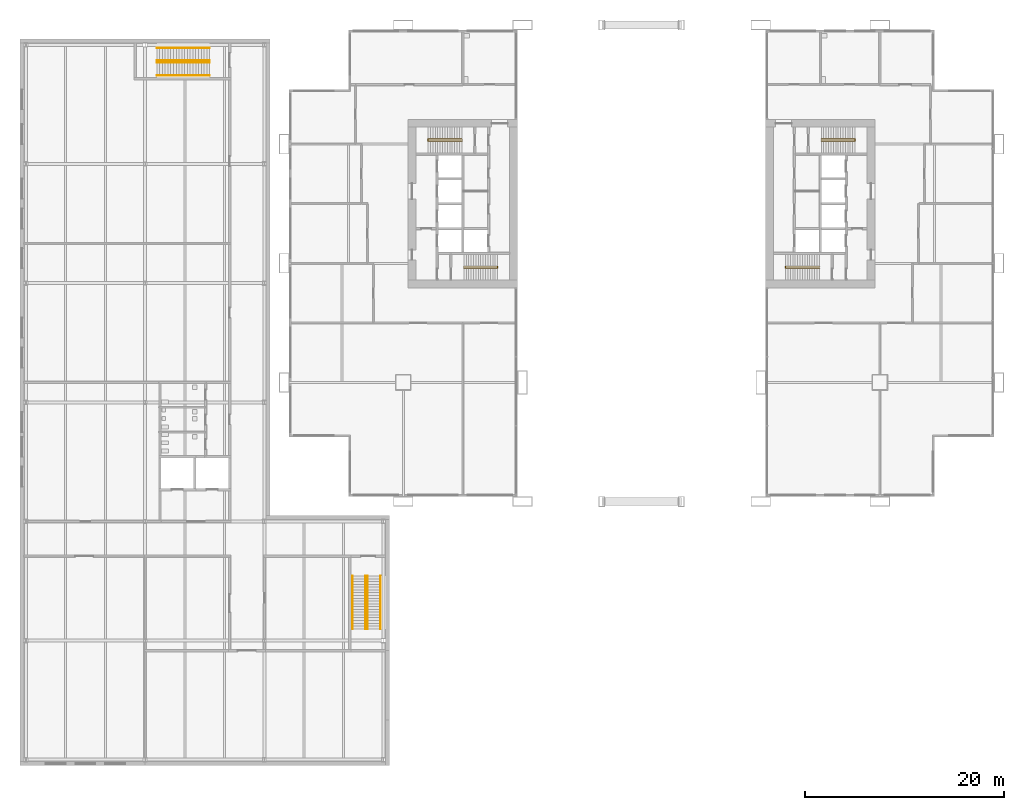
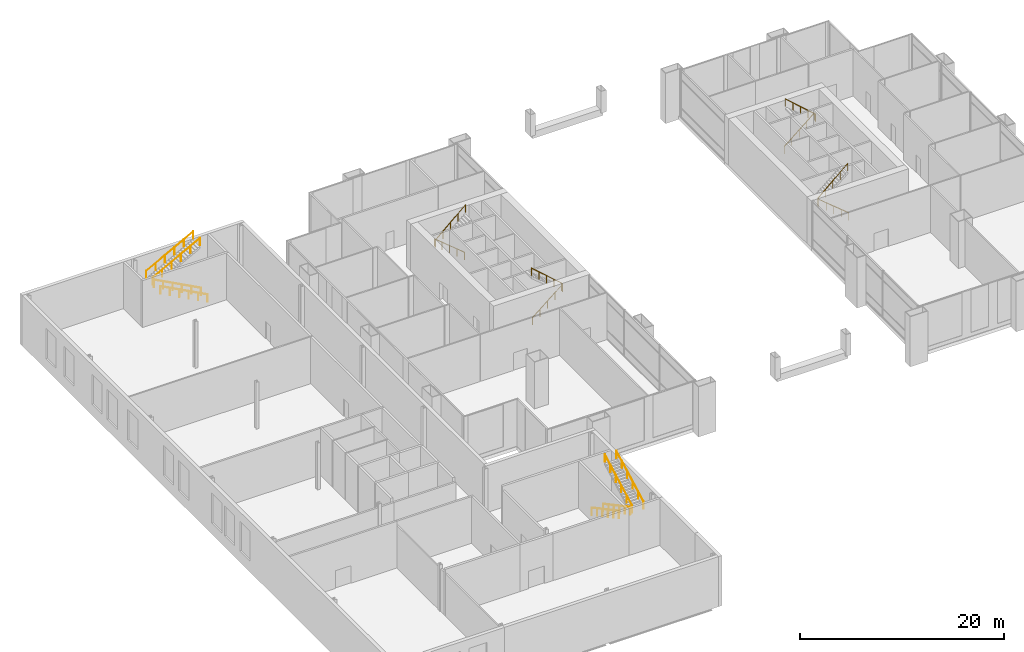
# One storey, part 24 of 25: 12 railings.
"""IFC4 building model written with IfcOpenShell, lengths in metres."""

from ifc_helpers import new_model, si_unit, direction, frame, origin, origin_2d, place, context, subcontext, project, spatial, circle, extrude, material, type_object, element, save


model = new_model("IFC4")

# Units and contexts
model_context = context("Model", 3, precision=1e-05, world=origin(), true_north=direction((0.0, 1.0)))
body_context = subcontext(model_context, "Body", "Model", "MODEL_VIEW")
ifc_project = project(units=[si_unit("LENGTHUNIT", "METRE"), si_unit("AREAUNIT", "SQUARE_METRE"), si_unit("VOLUMEUNIT", "CUBIC_METRE"), si_unit("PLANEANGLEUNIT", "RADIAN"), si_unit("MASSUNIT", "GRAM", prefix="KILO")], contexts=[model_context])

# Site, building, storey
site_placement = place(None, origin())
site = spatial("IfcSite", under=ifc_project, at=site_placement, CompositionType="ELEMENT")
building_placement = place(site_placement, origin())
building = spatial("IfcBuilding", under=site, at=building_placement, Name="Kitamizu Gate Tower and Museum", CompositionType="ELEMENT")
storey_placement = place(building_placement, frame((0.0, 0.0, 18.0)))
storey = spatial("IfcBuildingStorey", under=building, at=storey_placement, Name="L03", CompositionType="ELEMENT", Elevation=18.0)

# Railings
ifc_material_1 = material(Name="Stainless steel SUS304", Category="steel")
railing_type_1 = type_object("IfcRailingType", Name="Museum stair handrail 900", PredefinedType="HANDRAIL", material=ifc_material_1)
for number, where, name in (
    (1, (6.89990234375, -7.5, 0.14990234375), "Handrail stair S"),
    (2, (8.199951171875, -7.5, 0.14990234375), "Handrail stair S"),
):
    element("IfcRailing", number, at=place(storey_placement, frame(where)), inside=storey, type_object=railing_type_1, Name=name, PredefinedType="HANDRAIL", context=body_context, shape_type="SweptSolid", body=[
        extrude(circle(Radius=0.0224609375, at=origin_2d()), frame((0.0, 0.0, 0.87744140625), z_axis=(0.0, -0.881475760486, 0.472229270245), x_axis=(1.0, 0.0, 0.0)), (0.0, 0.0, 1.0), 6.035400390625),
        extrude(circle(Radius=0.01513671875, at=origin_2d()), origin(), (0.0, 0.0, 1.0), 0.85498046875),
        extrude(circle(Radius=0.01513671875, at=origin_2d()), frame((0.0, -1.06396484375, 0.570068359375)), (0.0, 0.0, 1.0), 0.85498046875),
        extrude(circle(Radius=0.01513671875, at=origin_2d()), frame((0.0, -2.1279296875, 1.14013671875)), (0.0, 0.0, 1.0), 0.85498046875),
        extrude(circle(Radius=0.01513671875, at=origin_2d()), frame((0.0, -3.192138671875, 1.7099609375)), (0.0, 0.0, 1.0), 0.85498046875),
        extrude(circle(Radius=0.01513671875, at=origin_2d()), frame((0.0, -4.256103515625, 2.280029296875)), (0.0, 0.0, 1.0), 0.85498046875),
        extrude(circle(Radius=0.01513671875, at=origin_2d()), frame((0.0, -5.320068359375, 2.85009765625)), (0.0, 0.0, 1.0), 0.85498046875),
    ])
for number, where, name in (
    (3, (8.39990234375, -12.820068359375, 3.14990234375), "Handrail stair S"),
    (4, (9.699951171875, -12.820068359375, 3.14990234375), "Handrail stair S"),
):
    element("IfcRailing", number, at=place(storey_placement, frame(where)), inside=storey, type_object=railing_type_1, Name=name, PredefinedType="HANDRAIL", context=body_context, shape_type="SweptSolid", body=[
        extrude(circle(Radius=0.0224609375, at=origin_2d()), frame((0.0, 0.0, 0.87744140625), z_axis=(0.0, 0.881475760486, 0.472229270245), x_axis=(-1.0, 0.0, 0.0)), (0.0, 0.0, 1.0), 6.035400390625),
        extrude(circle(Radius=0.01513671875, at=origin_2d()), origin(), (0.0, 0.0, 1.0), 0.85498046875),
        extrude(circle(Radius=0.01513671875, at=origin_2d()), frame((0.0, 1.06396484375, 0.570068359375)), (0.0, 0.0, 1.0), 0.85498046875),
        extrude(circle(Radius=0.01513671875, at=origin_2d()), frame((0.0, 2.1279296875, 1.14013671875)), (0.0, 0.0, 1.0), 0.85498046875),
        extrude(circle(Radius=0.01513671875, at=origin_2d()), frame((0.0, 3.192138671875, 1.7099609375)), (0.0, 0.0, 1.0), 0.85498046875),
        extrude(circle(Radius=0.01513671875, at=origin_2d()), frame((0.0, 4.256103515625, 2.280029296875)), (0.0, 0.0, 1.0), 0.85498046875),
        extrude(circle(Radius=0.01513671875, at=origin_2d()), frame((0.0, 5.320068359375, 2.85009765625)), (0.0, 0.0, 1.0), 0.85498046875),
    ])
for number, where, name in (
    (5, (-7.5, 42.89990234375, 0.14990234375), "Handrail stair N"),
    (6, (-7.5, 44.199951171875, 0.14990234375), "Handrail stair N"),
):
    element("IfcRailing", number, at=place(storey_placement, frame(where)), inside=storey, type_object=railing_type_1, Name=name, PredefinedType="HANDRAIL", context=body_context, shape_type="SweptSolid", body=[
        extrude(circle(Radius=0.0224609375, at=origin_2d()), frame((0.0, 0.0, 0.87744140625), z_axis=(-0.881475760486, 0.0, 0.472229270245), x_axis=(0.0, -1.0, 0.0)), (0.0, 0.0, 1.0), 6.035400390625),
        extrude(circle(Radius=0.01513671875, at=origin_2d()), origin(), (0.0, 0.0, 1.0), 0.85498046875),
        extrude(circle(Radius=0.01513671875, at=origin_2d()), frame((-1.06396484375, 0.0, 0.570068359375)), (0.0, 0.0, 1.0), 0.85498046875),
        extrude(circle(Radius=0.01513671875, at=origin_2d()), frame((-2.1279296875, 0.0, 1.14013671875)), (0.0, 0.0, 1.0), 0.85498046875),
        extrude(circle(Radius=0.01513671875, at=origin_2d()), frame((-3.192138671875, 0.0, 1.7099609375)), (0.0, 0.0, 1.0), 0.85498046875),
        extrude(circle(Radius=0.01513671875, at=origin_2d()), frame((-4.256103515625, 0.0, 2.280029296875)), (0.0, 0.0, 1.0), 0.85498046875),
        extrude(circle(Radius=0.01513671875, at=origin_2d()), frame((-5.320068359375, 0.0, 2.85009765625)), (0.0, 0.0, 1.0), 0.85498046875),
    ])
for number, where, name in (
    (7, (-12.820068359375, 44.39990234375, 3.14990234375), "Handrail stair N"),
    (8, (-12.820068359375, 45.699951171875, 3.14990234375), "Handrail stair N"),
):
    element("IfcRailing", number, at=place(storey_placement, frame(where)), inside=storey, type_object=railing_type_1, Name=name, PredefinedType="HANDRAIL", context=body_context, shape_type="SweptSolid", body=[
        extrude(circle(Radius=0.0224609375, at=origin_2d()), frame((0.0, 0.0, 0.87744140625), z_axis=(0.881475760486, 0.0, 0.472229270245), x_axis=(0.0, 1.0, 0.0)), (0.0, 0.0, 1.0), 6.035400390625),
        extrude(circle(Radius=0.01513671875, at=origin_2d()), origin(), (0.0, 0.0, 1.0), 0.85498046875),
        extrude(circle(Radius=0.01513671875, at=origin_2d()), frame((1.06396484375, 0.0, 0.570068359375)), (0.0, 0.0, 1.0), 0.85498046875),
        extrude(circle(Radius=0.01513671875, at=origin_2d()), frame((2.1279296875, 0.0, 1.14013671875)), (0.0, 0.0, 1.0), 0.85498046875),
        extrude(circle(Radius=0.01513671875, at=origin_2d()), frame((3.192138671875, 0.0, 1.7099609375)), (0.0, 0.0, 1.0), 0.85498046875),
        extrude(circle(Radius=0.01513671875, at=origin_2d()), frame((4.256103515625, 0.0, 2.280029296875)), (0.0, 0.0, 1.0), 0.85498046875),
        extrude(circle(Radius=0.01513671875, at=origin_2d()), frame((5.320068359375, 0.0, 2.85009765625)), (0.0, 0.0, 1.0), 0.85498046875),
    ])
ifc_material_2 = material(Name="Stainless steel SUS304", Category="steel")
railing_type_2 = type_object("IfcRailingType", Name="Stair handrail 900", PredefinedType="HANDRAIL", material=ifc_material_2)
railing_1_placement = place(storey_placement, frame((18.10009765625, 23.5, 0.199951171875)))
element("IfcRailing", 9, at=railing_1_placement, inside=storey, type_object=railing_type_2, Name="Stair handrail ST1", PredefinedType="HANDRAIL", context=body_context, shape_type="SweptSolid", body=[
    extrude(circle(Radius=0.02392578125, at=origin_2d()), frame((0.0, 0.0, 0.8759765625), z_axis=(0.771915835092, 0.0, 0.63572473881), x_axis=(0.0, 1.0, 0.0)), (0.0, 0.0, 1.0), 4.404541015625),
    extrude(circle(Radius=0.02392578125, at=origin_2d()), frame((3.39990234375, 0.0, 3.67578125), z_axis=(0.0, 1.0, 0.0), x_axis=(-1.0, 0.0, 0.0)), (0.0, 0.0, 1.0), 0.199951171875),
    extrude(circle(Radius=0.02392578125, at=origin_2d()), frame((3.39990234375, 0.199951171875, 3.67578125), z_axis=(-0.74982842739, 0.0, 0.661632321971), x_axis=(0.0, -1.0, 0.0)), (0.0, 0.0, 1.0), 4.5341796875),
    extrude(circle(Radius=0.02099609375, at=origin_2d()), origin(), (0.0, 0.0, 1.0), 0.851806640625),
    extrude(circle(Radius=0.02099609375, at=origin_2d()), frame((0.85009765625, 0.0, 0.699951171875)), (0.0, 0.0, 1.0), 0.851806640625),
    extrude(circle(Radius=0.02099609375, at=origin_2d()), frame((1.699951171875, 0.0, 1.39990234375)), (0.0, 0.0, 1.0), 0.851806640625),
    extrude(circle(Radius=0.02099609375, at=origin_2d()), frame((2.5498046875, 0.0, 2.10009765625)), (0.0, 0.0, 1.0), 0.851806640625),
    extrude(circle(Radius=0.02099609375, at=origin_2d()), frame((3.39990234375, 0.0, 2.800048828125)), (0.0, 0.0, 1.0), 0.851806640625),
    extrude(circle(Radius=0.02099609375, at=origin_2d()), frame((3.39990234375, 0.199951171875, 2.800048828125)), (0.0, 0.0, 1.0), 0.851806640625),
    extrude(circle(Radius=0.02099609375, at=origin_2d()), frame((2.5498046875, 0.199951171875, 3.550048828125)), (0.0, 0.0, 1.0), 0.851806640625),
    extrude(circle(Radius=0.02099609375, at=origin_2d()), frame((1.699951171875, 0.199951171875, 4.300048828125)), (0.0, 0.0, 1.0), 0.851806640625),
    extrude(circle(Radius=0.02099609375, at=origin_2d()), frame((0.85009765625, 0.199951171875, 5.050048828125)), (0.0, 0.0, 1.0), 0.851806640625),
    extrude(circle(Radius=0.02099609375, at=origin_2d()), frame((0.0, 0.199951171875, 5.800048828125)), (0.0, 0.0, 1.0), 0.851806640625),
])
railing_2_placement = place(storey_placement, frame((17.89990234375, 36.5, 0.199951171875)))
element("IfcRailing", 10, at=railing_2_placement, inside=storey, type_object=railing_type_2, Name="Stair handrail ST2", PredefinedType="HANDRAIL", context=body_context, shape_type="SweptSolid", body=[
    extrude(circle(Radius=0.02392578125, at=origin_2d()), frame((0.0, 0.0, 0.8759765625), z_axis=(-0.771915835092, 0.0, 0.63572473881), x_axis=(0.0, -1.0, 0.0)), (0.0, 0.0, 1.0), 4.404541015625),
    extrude(circle(Radius=0.02392578125, at=origin_2d()), frame((-3.39990234375, 0.0, 3.67578125), z_axis=(0.0, -1.0, 0.0), x_axis=(1.0, 0.0, 0.0)), (0.0, 0.0, 1.0), 0.199951171875),
    extrude(circle(Radius=0.02392578125, at=origin_2d()), frame((-3.39990234375, -0.199951171875, 3.67578125), z_axis=(0.74982842739, 0.0, 0.661632321971), x_axis=(0.0, 1.0, 0.0)), (0.0, 0.0, 1.0), 4.5341796875),
    extrude(circle(Radius=0.02099609375, at=origin_2d()), origin(), (0.0, 0.0, 1.0), 0.851806640625),
    extrude(circle(Radius=0.02099609375, at=origin_2d()), frame((-0.85009765625, 0.0, 0.699951171875)), (0.0, 0.0, 1.0), 0.851806640625),
    extrude(circle(Radius=0.02099609375, at=origin_2d()), frame((-1.699951171875, 0.0, 1.39990234375)), (0.0, 0.0, 1.0), 0.851806640625),
    extrude(circle(Radius=0.02099609375, at=origin_2d()), frame((-2.5498046875, 0.0, 2.10009765625)), (0.0, 0.0, 1.0), 0.851806640625),
    extrude(circle(Radius=0.02099609375, at=origin_2d()), frame((-3.39990234375, 0.0, 2.800048828125)), (0.0, 0.0, 1.0), 0.851806640625),
    extrude(circle(Radius=0.02099609375, at=origin_2d()), frame((-3.39990234375, -0.199951171875, 2.800048828125)), (0.0, 0.0, 1.0), 0.851806640625),
    extrude(circle(Radius=0.02099609375, at=origin_2d()), frame((-2.5498046875, -0.199951171875, 3.550048828125)), (0.0, 0.0, 1.0), 0.851806640625),
    extrude(circle(Radius=0.02099609375, at=origin_2d()), frame((-1.699951171875, -0.199951171875, 4.300048828125)), (0.0, 0.0, 1.0), 0.851806640625),
    extrude(circle(Radius=0.02099609375, at=origin_2d()), frame((-0.85009765625, -0.199951171875, 5.050048828125)), (0.0, 0.0, 1.0), 0.851806640625),
    extrude(circle(Radius=0.02099609375, at=origin_2d()), frame((0.0, -0.199951171875, 5.800048828125)), (0.0, 0.0, 1.0), 0.851806640625),
])
railing_3_placement = place(storey_placement, frame((53.89990234375, 23.5, 0.199951171875)))
element("IfcRailing", 11, at=railing_3_placement, inside=storey, type_object=railing_type_2, Name="Stair handrail ST3", PredefinedType="HANDRAIL", context=body_context, shape_type="SweptSolid", body=[
    extrude(circle(Radius=0.02392578125, at=origin_2d()), frame((0.0, 0.0, 0.8759765625), z_axis=(-0.771915835092, 0.0, 0.63572473881), x_axis=(0.0, -1.0, 0.0)), (0.0, 0.0, 1.0), 4.404541015625),
    extrude(circle(Radius=0.02392578125, at=origin_2d()), frame((-3.39990234375, 0.0, 3.67578125), z_axis=(0.0, 1.0, 0.0), x_axis=(-1.0, 0.0, 0.0)), (0.0, 0.0, 1.0), 0.199951171875),
    extrude(circle(Radius=0.02392578125, at=origin_2d()), frame((-3.39990234375, 0.199951171875, 3.67578125), z_axis=(0.74982842739, 0.0, 0.661632321971), x_axis=(0.0, 1.0, 0.0)), (0.0, 0.0, 1.0), 4.5341796875),
    extrude(circle(Radius=0.02099609375, at=origin_2d()), origin(), (0.0, 0.0, 1.0), 0.851806640625),
    extrude(circle(Radius=0.02099609375, at=origin_2d()), frame((-0.85009765625, 0.0, 0.699951171875)), (0.0, 0.0, 1.0), 0.851806640625),
    extrude(circle(Radius=0.02099609375, at=origin_2d()), frame((-1.699951171875, 0.0, 1.39990234375)), (0.0, 0.0, 1.0), 0.851806640625),
    extrude(circle(Radius=0.02099609375, at=origin_2d()), frame((-2.5498046875, 0.0, 2.10009765625)), (0.0, 0.0, 1.0), 0.851806640625),
    extrude(circle(Radius=0.02099609375, at=origin_2d()), frame((-3.39990234375, 0.0, 2.800048828125)), (0.0, 0.0, 1.0), 0.851806640625),
    extrude(circle(Radius=0.02099609375, at=origin_2d()), frame((-3.39990234375, 0.199951171875, 2.800048828125)), (0.0, 0.0, 1.0), 0.851806640625),
    extrude(circle(Radius=0.02099609375, at=origin_2d()), frame((-2.5498046875, 0.199951171875, 3.550048828125)), (0.0, 0.0, 1.0), 0.851806640625),
    extrude(circle(Radius=0.02099609375, at=origin_2d()), frame((-1.699951171875, 0.199951171875, 4.300048828125)), (0.0, 0.0, 1.0), 0.851806640625),
    extrude(circle(Radius=0.02099609375, at=origin_2d()), frame((-0.85009765625, 0.199951171875, 5.050048828125)), (0.0, 0.0, 1.0), 0.851806640625),
    extrude(circle(Radius=0.02099609375, at=origin_2d()), frame((0.0, 0.199951171875, 5.800048828125)), (0.0, 0.0, 1.0), 0.851806640625),
])
railing_4_placement = place(storey_placement, frame((54.10009765625, 36.5, 0.199951171875)))
element("IfcRailing", 12, at=railing_4_placement, inside=storey, type_object=railing_type_2, Name="Stair handrail ST4", PredefinedType="HANDRAIL", context=body_context, shape_type="SweptSolid", body=[
    extrude(circle(Radius=0.02392578125, at=origin_2d()), frame((0.0, 0.0, 0.8759765625), z_axis=(0.771915835092, 0.0, 0.63572473881), x_axis=(0.0, 1.0, 0.0)), (0.0, 0.0, 1.0), 4.404541015625),
    extrude(circle(Radius=0.02392578125, at=origin_2d()), frame((3.39990234375, 0.0, 3.67578125), z_axis=(0.0, -1.0, 0.0), x_axis=(1.0, 0.0, 0.0)), (0.0, 0.0, 1.0), 0.199951171875),
    extrude(circle(Radius=0.02392578125, at=origin_2d()), frame((3.39990234375, -0.199951171875, 3.67578125), z_axis=(-0.74982842739, 0.0, 0.661632321971), x_axis=(0.0, -1.0, 0.0)), (0.0, 0.0, 1.0), 4.5341796875),
    extrude(circle(Radius=0.02099609375, at=origin_2d()), origin(), (0.0, 0.0, 1.0), 0.851806640625),
    extrude(circle(Radius=0.02099609375, at=origin_2d()), frame((0.85009765625, 0.0, 0.699951171875)), (0.0, 0.0, 1.0), 0.851806640625),
    extrude(circle(Radius=0.02099609375, at=origin_2d()), frame((1.699951171875, 0.0, 1.39990234375)), (0.0, 0.0, 1.0), 0.851806640625),
    extrude(circle(Radius=0.02099609375, at=origin_2d()), frame((2.5498046875, 0.0, 2.10009765625)), (0.0, 0.0, 1.0), 0.851806640625),
    extrude(circle(Radius=0.02099609375, at=origin_2d()), frame((3.39990234375, 0.0, 2.800048828125)), (0.0, 0.0, 1.0), 0.851806640625),
    extrude(circle(Radius=0.02099609375, at=origin_2d()), frame((3.39990234375, -0.199951171875, 2.800048828125)), (0.0, 0.0, 1.0), 0.851806640625),
    extrude(circle(Radius=0.02099609375, at=origin_2d()), frame((2.5498046875, -0.199951171875, 3.550048828125)), (0.0, 0.0, 1.0), 0.851806640625),
    extrude(circle(Radius=0.02099609375, at=origin_2d()), frame((1.699951171875, -0.199951171875, 4.300048828125)), (0.0, 0.0, 1.0), 0.851806640625),
    extrude(circle(Radius=0.02099609375, at=origin_2d()), frame((0.85009765625, -0.199951171875, 5.050048828125)), (0.0, 0.0, 1.0), 0.851806640625),
    extrude(circle(Radius=0.02099609375, at=origin_2d()), frame((0.0, -0.199951171875, 5.800048828125)), (0.0, 0.0, 1.0), 0.851806640625),
])

save(model, "model.ifc")
